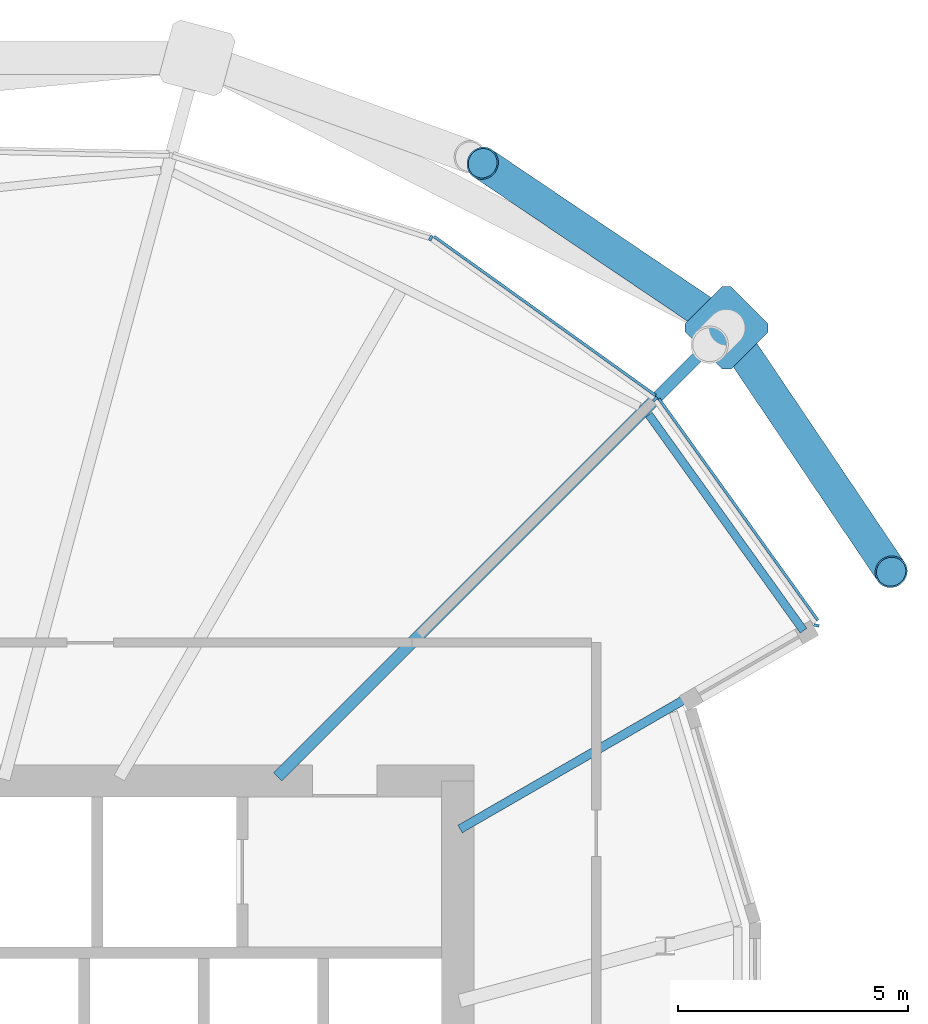
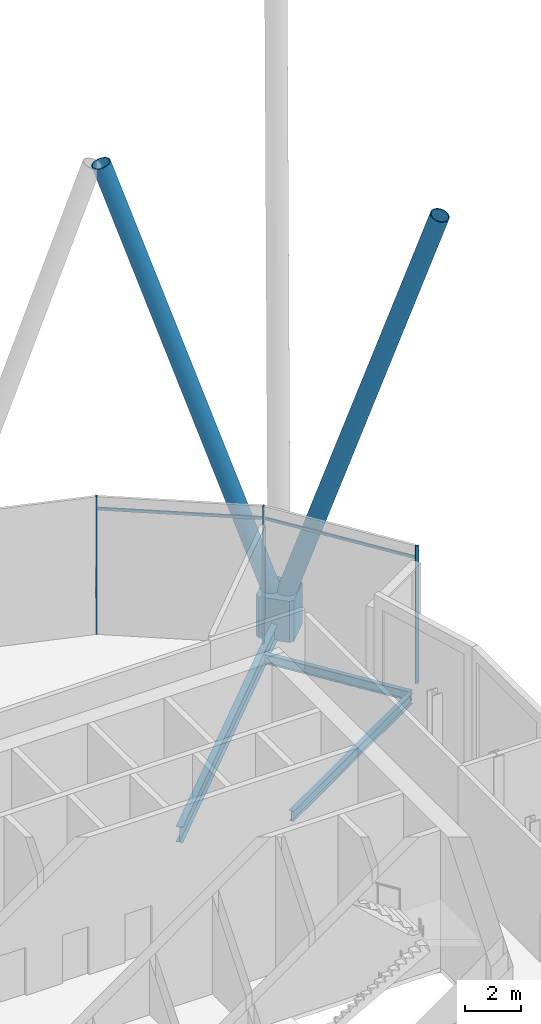
# One storey, part 29 of 39: 8 members, 3 beams, 1 element without a shape of its own.
"""IFC4 building model written with IfcOpenShell, lengths in metres."""

from ifc_helpers import new_model, si_unit, direction, frame, origin, origin_2d, place, context, subcontext, project, spatial, polyline, rectangle, hollow_circle, i_section, outline, extrude, material, material_profile, profile_set, type_object, element, aggregate, save


model = new_model("IFC4")

# Units and contexts
model_context = context("Model", 3, precision=1e-05, world=origin(), true_north=direction((0.0, 1.0)))
body_context = subcontext(model_context, "Body", "Model", "MODEL_VIEW")
ifc_project = project(units=[si_unit("LENGTHUNIT", "METRE"), si_unit("AREAUNIT", "SQUARE_METRE"), si_unit("VOLUMEUNIT", "CUBIC_METRE"), si_unit("PLANEANGLEUNIT", "RADIAN"), si_unit("MASSUNIT", "GRAM", prefix="KILO")], contexts=[model_context])

# Site, building, storey
site_placement = place(None, origin())
site = spatial("IfcSite", under=ifc_project, at=site_placement, CompositionType="ELEMENT")
building_placement = place(site_placement, origin())
building = spatial("IfcBuilding", under=site, at=building_placement, Name="Rimbun Link Towers", CompositionType="ELEMENT")
storey_placement = place(building_placement, frame((0.0, 0.0, 127.199951171875)))
storey = spatial("IfcBuildingStorey", under=building, at=storey_placement, Name="L31", CompositionType="ELEMENT", Elevation=127.199951171875)

# Curtain wall, members
ifc_material_1 = material(Name="Aluminium 6063-T6 louvre wall", Category="aluminium")
curtain_wall_type = type_object("IfcCurtainWallType", Name="CW6 plant floor louvre wall", PredefinedType="NOTDEFINED", material=ifc_material_1)
curtain_wall_placement = place(storey_placement, origin())
curtain_wall = element("IfcCurtainWall", 1, at=curtain_wall_placement, inside=storey, type_object=curtain_wall_type, Name="CW6 L31 T2", PredefinedType="NOTDEFINED")
ifc_material_2 = material(Name="Aluminium 6063-T6", Category="aluminium")
ifc_material_profile_1 = material_profile(ifc_material_2, rectangle(XDim=0.1201171875, YDim=0.06005859375, at=origin_2d()), Name="MULLION 60X120")
ifc_profile_set_1 = profile_set([ifc_material_profile_1], Name="Aluminium 6063-T6")
member_type_1 = type_object("IfcMemberType", Name="CW6 mullion 60X120", PredefinedType="MULLION", material=ifc_profile_set_1)
member_1_placement = place(storey_placement, frame((43.162841796875, 19.774658203125, 0.0), z_axis=(0.0, 0.0, 1.0), x_axis=(0.448574619933, 0.893745383402, 0.0)))
member_1 = element("IfcMember", 2, at=member_1_placement, type_object=member_type_1, Name="CW6 mullion", PredefinedType="MULLION", context=body_context, shape_type="SweptSolid", body=[
    extrude(rectangle(XDim=0.1201171875, YDim=0.06005859375, at=origin_2d()), origin(), (0.0, 0.0, 1.0), 6.0),
])
member_2_placement = place(storey_placement, frame((48.03125, 16.28125, 0.0), z_axis=(0.0, 0.0, 1.0), x_axis=(0.707106781187, 0.707106781187, 0.0)))
member_2 = element("IfcMember", 3, at=member_2_placement, type_object=member_type_1, Name="CW6 mullion", PredefinedType="MULLION", context=body_context, shape_type="SweptSolid", body=[
    extrude(rectangle(XDim=0.1201171875, YDim=0.06005859375, at=origin_2d()), origin(), (0.0, 0.0, 1.0), 6.0),
])
member_3_placement = place(storey_placement, frame((51.529541015625, 11.373291015625, 0.0), z_axis=(0.0, 0.0, 1.0), x_axis=(0.97753124834, -0.210790556049, 0.0)))
member_3 = element("IfcMember", 4, at=member_3_placement, type_object=member_type_1, Name="CW6 mullion", PredefinedType="MULLION", context=body_context, shape_type="SweptSolid", body=[
    extrude(rectangle(XDim=0.1201171875, YDim=0.06005859375, at=origin_2d()), origin(), (0.0, 0.0, 1.0), 6.0),
])
ifc_material_3 = material(Name="Aluminium 6063-T6", Category="aluminium")
ifc_material_profile_2 = material_profile(ifc_material_3, rectangle(XDim=0.06005859375, YDim=0.1201171875, at=origin_2d()), Name="TRANSOM 60X120")
ifc_profile_set_2 = profile_set([ifc_material_profile_2], Name="Aluminium 6063-T6")
member_type_2 = type_object("IfcMemberType", Name="CW6 transom 60X120", PredefinedType="USERDEFINED", material=ifc_profile_set_2)
member_4_placement = place(storey_placement, frame((43.236083984375, 19.80908203125, 5.400146484375), z_axis=(0.812476177925, -0.582994391315, 0.0), x_axis=(0.582994391315, 0.812476177925, 0.0)))
member_4 = element("IfcMember", 5, at=member_4_placement, type_object=member_type_2, Name="CW6 transom", ObjectType="TRANSOM", PredefinedType="USERDEFINED", context=body_context, shape_type="SweptSolid", body=[
    extrude(rectangle(XDim=0.06005859375, YDim=0.1201171875, at=origin_2d()), origin(), (0.0, 0.0, 1.0), 5.9130859375),
])
member_5_placement = place(storey_placement, frame((48.11181640625, 16.290283203125, 5.400146484375), z_axis=(0.582994391315, -0.812476177925, 0.0), x_axis=(0.812476177925, 0.582994391315, 0.0)))
member_5 = element("IfcMember", 6, at=member_5_placement, type_object=member_type_2, Name="CW6 transom", ObjectType="TRANSOM", PredefinedType="USERDEFINED", context=body_context, shape_type="SweptSolid", body=[
    extrude(rectangle(XDim=0.06005859375, YDim=0.1201171875, at=origin_2d()), origin(), (0.0, 0.0, 1.0), 5.9130859375),
])
aggregate(curtain_wall, [member_1, member_2, member_3, member_4, member_5])

# Members
ifc_material_4 = material(Name="Steel S460NH", Category="steel")
ifc_material_profile_3 = material_profile(ifc_material_4, hollow_circle(Radius=0.355712890625, WallThickness=0.031982421875, at=origin_2d()), Name="Diagrid diagonal CHS 711x32")
ifc_profile_set_3 = profile_set([ifc_material_profile_3], Name="Steel S460NH")
member_type_3 = type_object("IfcMemberType", Name="Diagrid diagonal CHS 711x32", PredefinedType="BRACE", material=ifc_profile_set_3)
for number, where, z_axis, x_axis, name in (
    (7, (49.668212890625, 17.698486328125, 0.474365234375), (0.177043579974, -0.262492343379, 0.948553288149), (0.829051835426, 0.559171757313, 0.0), "Diagrid diagonal T2 L31-L35 00a"),
    (8, (49.448486328125, 17.918212890625, 0.474365234375), (-0.262492343379, 0.177043579974, 0.948553288149), (-0.559171757313, -0.829051835426, 0.0), "Diagrid diagonal T2 L31-L35 00b"),
):
    element("IfcMember", number, at=place(storey_placement, frame(where, z_axis=z_axis, x_axis=x_axis)), inside=storey, type_object=member_type_3, Name=name, PredefinedType="BRACE", context=body_context, shape_type="SweptSolid", body=[
        extrude(hollow_circle(Radius=0.355712890625, WallThickness=0.031982421875, at=origin_2d()), origin(), (0.0, 0.0, 1.0), 19.662841796875),
    ])
ifc_material_5 = material(Name="Cast steel G20Mn5+QT, Rp0.2 300 MPa", Category="steel")
ifc_material_profile_4 = material_profile(ifc_material_5, outline(polyline([(0.699951171875, -0.570068359375), (0.699951171875, 0.570068359375), (0.570068359375, 0.699951171875), (-0.570068359375, 0.699951171875), (-0.699951171875, 0.570068359375), (-0.699951171875, -0.570068359375), (-0.570068359375, -0.699951171875), (0.570068359375, -0.699951171875), (0.699951171875, -0.570068359375)])), Name="NODE 1400x1400")
ifc_profile_set_4 = profile_set([ifc_material_profile_4], Name="Cast steel G20Mn5+QT, Rp0.2 300 MPa")
member_type_4 = type_object("IfcMemberType", Name="Diagrid node cast 1400", PredefinedType="USERDEFINED", material=ifc_profile_set_4)
member_6_placement = place(storey_placement, frame((49.579833984375, 17.829833984375, -0.89990234375), z_axis=(0.0, 0.0, 1.0), x_axis=(0.707106781187, 0.707106781187, 0.0)))
element("IfcMember", 9, at=member_6_placement, inside=storey, type_object=member_type_4, Name="Diagrid node L31 00", ObjectType="Diagrid node", PredefinedType="USERDEFINED", context=body_context, shape_type="SweptSolid", body=[
    extrude(outline(polyline([(0.699951171875, -0.570068359375), (0.699951171875, 0.570068359375), (0.570068359375, 0.699951171875), (-0.570068359375, 0.699951171875), (-0.699951171875, 0.570068359375), (-0.699951171875, -0.570068359375), (-0.570068359375, -0.699951171875), (0.570068359375, -0.699951171875), (0.699951171875, -0.570068359375)])), origin(), (0.0, 0.0, 1.0), 1.800048828125),
])

# Beams
ifc_material_6 = material(Name="Steel S355J2", Category="steel")
ifc_material_profile_5 = material_profile(ifc_material_6, i_section(OverallWidth=0.177978515625, OverallDepth=0.406494140625, WebThickness=0.0078125, FlangeThickness=0.0126953125, at=origin_2d()), Name="UB 406x178x60")
ifc_profile_set_5 = profile_set([ifc_material_profile_5], Name="Steel S355J2")
beam_type_1 = type_object("IfcBeamType", Name="UB 406x178x60", PredefinedType="BEAM", material=ifc_profile_set_5)
beam_1_placement = place(storey_placement, frame((51.248779296875, 11.2587890625, -0.383056640625), z_axis=(-0.582336013829, 0.812948194535, 0.0), x_axis=(-0.812948194535, -0.582336013829, 0.0)))
element("IfcBeam", 10, at=beam_1_placement, inside=storey, type_object=beam_type_1, Name="Edge beam T2 L31 23", PredefinedType="BEAM", context=body_context, shape_type="SweptSolid", body=[
    extrude(i_section(OverallWidth=0.177978515625, OverallDepth=0.406494140625, WebThickness=0.0078125, FlangeThickness=0.0126953125, at=origin_2d()), origin(), (0.0, 0.0, 1.0), 5.76123046875),
])
ifc_material_7 = material(Name="Steel S355J2", Category="steel")
ifc_material_profile_6 = material_profile(ifc_material_7, i_section(OverallWidth=0.18994140625, OverallDepth=0.453369140625, WebThickness=0.008544921875, FlangeThickness=0.0126953125, at=origin_2d()), Name="UB 457x191x67")
ifc_profile_set_6 = profile_set([ifc_material_profile_6], Name="Steel S355J2")
beam_type_2 = type_object("IfcBeamType", Name="UB 457x191x67", PredefinedType="BEAM", material=ifc_profile_set_6)
beam_2_placement = place(storey_placement, frame((43.79833984375, 6.9560546875, -0.40673828125), z_axis=(0.866017962851, 0.500012887853, 0.0), x_axis=(-0.500012887853, 0.866017962851, 0.0)))
element("IfcBeam", 11, at=beam_2_placement, inside=storey, type_object=beam_type_2, Name="Radial beam T2 L31 23", PredefinedType="BEAM", context=body_context, shape_type="SweptSolid", body=[
    extrude(i_section(OverallWidth=0.18994140625, OverallDepth=0.453369140625, WebThickness=0.008544921875, FlangeThickness=0.0126953125, at=origin_2d()), origin(), (0.0, 0.0, 1.0), 8.513427734375),
])
ifc_material_8 = material(Name="Steel S355J2", Category="steel")
ifc_material_profile_7 = material_profile(ifc_material_8, i_section(OverallWidth=0.253662109375, OverallDepth=0.68359375, WebThickness=0.012451171875, FlangeThickness=0.01904296875, at=origin_2d()), Name="UB 686x254x140")
ifc_profile_set_7 = profile_set([ifc_material_profile_7], Name="Steel S355J2")
beam_type_3 = type_object("IfcBeamType", Name="UB 686x254x140", PredefinedType="BEAM", material=ifc_profile_set_7)
beam_3_placement = place(storey_placement, frame((39.84033203125, 8.09033203125, -0.521728515625), z_axis=(0.707106781187, 0.707106781187, 0.0), x_axis=(-0.707106781187, 0.707106781187, 0.0)))
element("IfcBeam", 12, at=beam_3_placement, inside=storey, type_object=beam_type_3, Name="Radial beam T2 L31 00", PredefinedType="BEAM", context=body_context, shape_type="SweptSolid", body=[
    extrude(i_section(OverallWidth=0.253662109375, OverallDepth=0.68359375, WebThickness=0.012451171875, FlangeThickness=0.01904296875, at=origin_2d()), origin(), (0.0, 0.0, 1.0), 13.273681640625),
])

save(model, "model.ifc")
